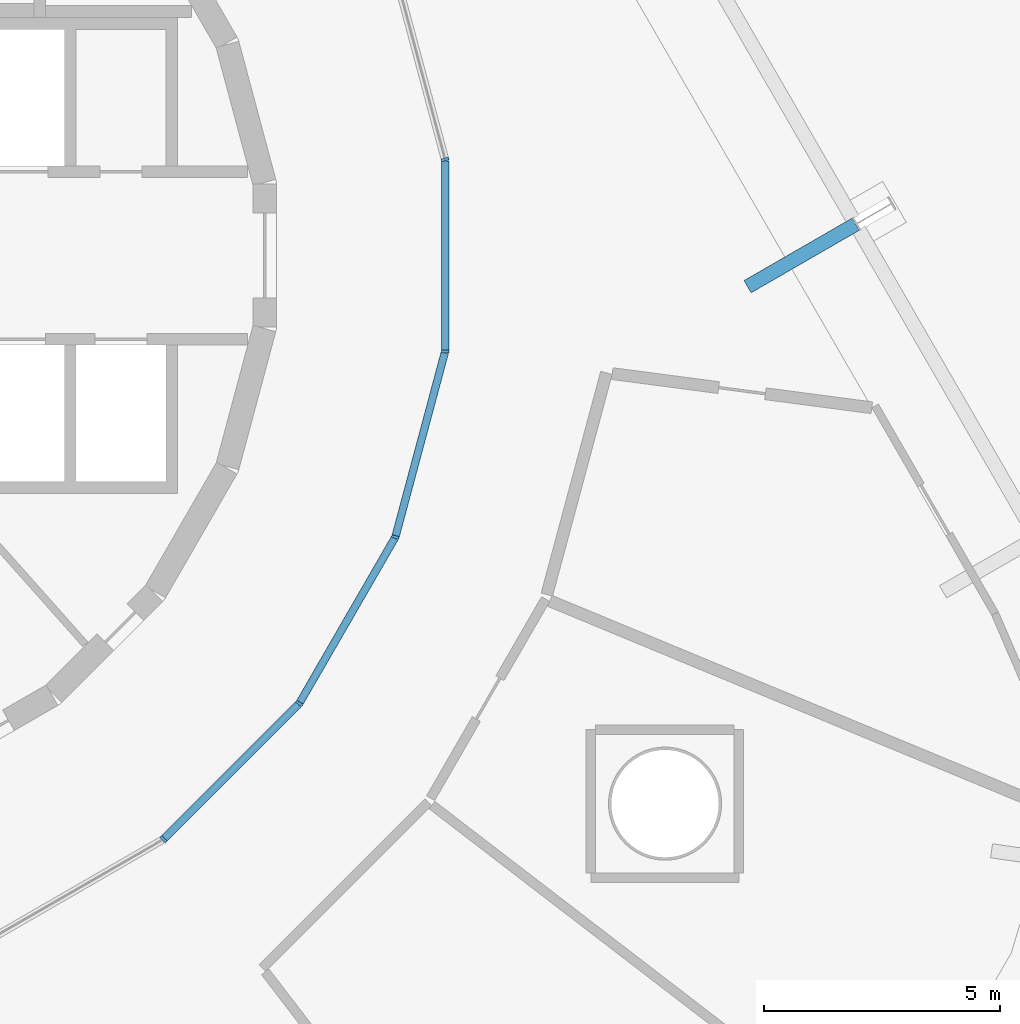
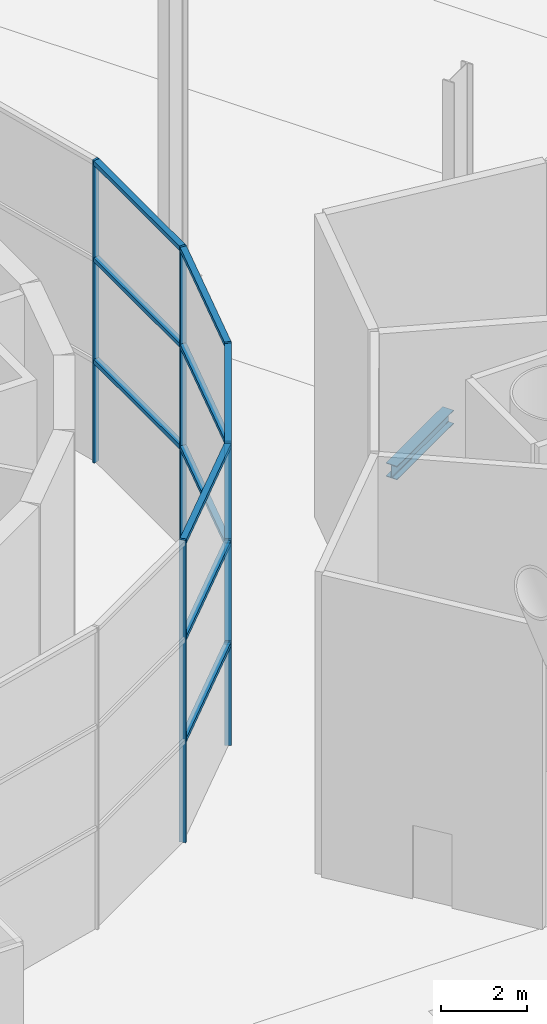
# One storey, part 7 of 21: 17 members, 1 beam, 5 elements without a shape of their own.
"""IFC4 building model written with IfcOpenShell, lengths in metres."""

from ifc_helpers import new_model, si_unit, direction, frame, origin, origin_2d, place, context, subcontext, project, spatial, rectangle, i_section, extrude, material, layer, layer_set, material_profile, profile_set, type_object, element, aggregate, save


model = new_model("IFC4")

# Units and contexts
model_context = context("Model", 3, precision=1e-05, world=origin(), true_north=direction((0.0, 1.0)))
body_context = subcontext(model_context, "Body", "Model", "MODEL_VIEW")
ifc_project = project(units=[si_unit("LENGTHUNIT", "METRE"), si_unit("AREAUNIT", "SQUARE_METRE"), si_unit("VOLUMEUNIT", "CUBIC_METRE"), si_unit("PLANEANGLEUNIT", "RADIAN"), si_unit("MASSUNIT", "GRAM", prefix="KILO")], contexts=[model_context])

# Site, building, storey
site_placement = place(None, origin())
site = spatial("IfcSite", under=ifc_project, at=site_placement, CompositionType="ELEMENT")
building_placement = place(site_placement, origin())
building = spatial("IfcBuilding", under=site, at=building_placement, Name="Spindle Arch Residences", CompositionType="ELEMENT")
storey_placement = place(building_placement, origin())
storey = spatial("IfcBuildingStorey", under=building, at=storey_placement, Name="L00", CompositionType="ELEMENT", Elevation=0.0)

# Curtain wall, member
ifc_material_1 = material(Name="Aluminium bronze unitised frame with tinted glass", Category="aluminium")
ifc_layer = layer(ifc_material_1, 0.159912109375)
ifc_layer_set = layer_set([ifc_layer], Name="CW-A arcade glazed lobby wall")
curtain_wall_type = type_object("IfcCurtainWallType", Name="CW-A arcade glazed lobby wall", PredefinedType="NOTDEFINED", material=ifc_layer_set)
curtain_wall_1_placement = place(storey_placement, origin())
curtain_wall_1 = element("IfcCurtainWall", 1, at=curtain_wall_1_placement, inside=storey, type_object=curtain_wall_type, Name="CW-A L00 CWA01", PredefinedType="NOTDEFINED")
ifc_material_2 = material(Name="Aluminium bronze anodised mullion", Category="aluminium")
ifc_material_profile_1 = material_profile(ifc_material_2, rectangle(XDim=0.159912109375, YDim=0.06005859375, at=origin_2d()), Name="MU 60x160")
ifc_profile_set_1 = profile_set([ifc_material_profile_1], Name="Aluminium bronze anodised mullion")
member_type_1 = type_object("IfcMemberType", Name="Bronze mullion 60x160", PredefinedType="MULLION", material=ifc_profile_set_1)
member_1_placement = place(storey_placement, frame((9.5029296875, -12.38427734375, 0.0), z_axis=(0.0, 0.0, 1.0), x_axis=(-0.707106781187, 0.707106781187, 0.0)))
member_1 = element("IfcMember", 2, at=member_1_placement, type_object=member_type_1, Name="CW-A mullion 1", PredefinedType="MULLION", context=body_context, shape_type="SweptSolid", body=[
    extrude(rectangle(XDim=0.159912109375, YDim=0.06005859375, at=origin_2d()), origin(), (0.0, 0.0, 1.0), 8.6201171875),
])

curtain_wall_2_placement = place(storey_placement, origin())
curtain_wall_2 = element("IfcCurtainWall", 3, at=curtain_wall_2_placement, inside=storey, type_object=curtain_wall_type, Name="CW-A L00 CWA02", PredefinedType="NOTDEFINED")
member_2_placement = place(storey_placement, frame((12.38427734375, -9.5029296875, 0.0), z_axis=(0.0, 0.0, 1.0), x_axis=(-0.866012300009, 0.500022695718, 0.0)))
member_2 = element("IfcMember", 4, at=member_2_placement, type_object=member_type_1, Name="CW-A mullion 1", PredefinedType="MULLION", context=body_context, shape_type="SweptSolid", body=[
    extrude(rectangle(XDim=0.159912109375, YDim=0.06005859375, at=origin_2d()), origin(), (0.0, 0.0, 1.0), 8.6201171875),
])

curtain_wall_3_placement = place(storey_placement, origin())
curtain_wall_3 = element("IfcCurtainWall", 5, at=curtain_wall_3_placement, inside=storey, type_object=curtain_wall_type, Name="CW-A L00 CWA03", PredefinedType="NOTDEFINED")
member_3_placement = place(storey_placement, frame((14.422119140625, -5.973876953125, 0.0), z_axis=(0.0, 0.0, 1.0), x_axis=(-0.965934589271, 0.258786338994, 0.0)))
member_3 = element("IfcMember", 6, at=member_3_placement, type_object=member_type_1, Name="CW-A mullion 1", PredefinedType="MULLION", context=body_context, shape_type="SweptSolid", body=[
    extrude(rectangle(XDim=0.159912109375, YDim=0.06005859375, at=origin_2d()), origin(), (0.0, 0.0, 1.0), 8.6201171875),
])

curtain_wall_4_placement = place(storey_placement, origin())
curtain_wall_4 = element("IfcCurtainWall", 7, at=curtain_wall_4_placement, inside=storey, type_object=curtain_wall_type, Name="CW-A L00 CWA04", PredefinedType="NOTDEFINED")
member_4_placement = place(storey_placement, frame((15.4765625, -2.037353515625, 0.0), z_axis=(0.0, 0.0, 1.0), x_axis=(-1.0, 0.0, 0.0)))
member_4 = element("IfcMember", 8, at=member_4_placement, type_object=member_type_1, Name="CW-A mullion 1", PredefinedType="MULLION", context=body_context, shape_type="SweptSolid", body=[
    extrude(rectangle(XDim=0.159912109375, YDim=0.06005859375, at=origin_2d()), origin(), (0.0, 0.0, 1.0), 8.6201171875),
])

curtain_wall_5_placement = place(storey_placement, origin())
curtain_wall_5 = element("IfcCurtainWall", 9, at=curtain_wall_5_placement, inside=storey, type_object=curtain_wall_type, Name="CW-A L00 CWA05", PredefinedType="NOTDEFINED")
member_5_placement = place(storey_placement, frame((15.4765625, 2.037353515625, 0.0), z_axis=(0.0, 0.0, 1.0), x_axis=(-0.965934589271, -0.258786338994, 0.0)))
member_5 = element("IfcMember", 10, at=member_5_placement, type_object=member_type_1, Name="CW-A mullion 1", PredefinedType="MULLION", context=body_context, shape_type="SweptSolid", body=[
    extrude(rectangle(XDim=0.159912109375, YDim=0.06005859375, at=origin_2d()), origin(), (0.0, 0.0, 1.0), 8.6201171875),
])
aggregate(curtain_wall_5, [member_5])

# Member
ifc_material_3 = material(Name="Aluminium bronze anodised transom", Category="aluminium")
ifc_material_profile_2 = material_profile(ifc_material_3, rectangle(XDim=0.159912109375, YDim=0.1201171875, at=origin_2d()), Name="TR 120x160")
ifc_profile_set_2 = profile_set([ifc_material_profile_2], Name="Aluminium bronze anodised transom")
member_type_2 = type_object("IfcMemberType", Name="Bronze transom 120x160", PredefinedType="USERDEFINED", material=ifc_profile_set_2)
member_6_placement = place(storey_placement, frame((9.524169921875, -12.363037109375, 2.89990234375), z_axis=(0.707106781187, 0.707106781187, 0.0), x_axis=(-0.707106781187, 0.707106781187, 0.0)))
member_6 = element("IfcMember", 11, at=member_6_placement, type_object=member_type_2, Name="CW-A transom 00.1", ObjectType="TRANSOM", PredefinedType="USERDEFINED", context=body_context, shape_type="SweptSolid", body=[
    extrude(rectangle(XDim=0.159912109375, YDim=0.1201171875, at=origin_2d()), origin(), (0.0, 0.0, 1.0), 4.0146484375),
])

member_7_placement = place(storey_placement, frame((9.524169921875, -12.363037109375, 5.800048828125), z_axis=(0.707106781187, 0.707106781187, 0.0), x_axis=(-0.707106781187, 0.707106781187, 0.0)))
member_7 = element("IfcMember", 12, at=member_7_placement, type_object=member_type_2, Name="CW-A transom 00.2", ObjectType="TRANSOM", PredefinedType="USERDEFINED", context=body_context, shape_type="SweptSolid", body=[
    extrude(rectangle(XDim=0.159912109375, YDim=0.1201171875, at=origin_2d()), origin(), (0.0, 0.0, 1.0), 4.0146484375),
])

member_8_placement = place(storey_placement, frame((9.524169921875, -12.363037109375, 8.56005859375), z_axis=(0.707106781187, 0.707106781187, 0.0), x_axis=(-0.707106781187, 0.707106781187, 0.0)))
member_8 = element("IfcMember", 13, at=member_8_placement, type_object=member_type_2, Name="CW-A transom 00.3", ObjectType="TRANSOM", PredefinedType="USERDEFINED", context=body_context, shape_type="SweptSolid", body=[
    extrude(rectangle(XDim=0.159912109375, YDim=0.1201171875, at=origin_2d()), origin(), (0.0, 0.0, 1.0), 4.0146484375),
])

aggregate(curtain_wall_1, [member_1, member_6, member_7, member_8])

member_9_placement = place(storey_placement, frame((12.3994140625, -9.476806640625, 2.89990234375), z_axis=(0.500017214385, 0.866015464827, 0.0), x_axis=(-0.866015464827, 0.500017214385, 0.0)))
member_9 = element("IfcMember", 14, at=member_9_placement, type_object=member_type_2, Name="CW-A transom 00.1", ObjectType="TRANSOM", PredefinedType="USERDEFINED", context=body_context, shape_type="SweptSolid", body=[
    extrude(rectangle(XDim=0.159912109375, YDim=0.1201171875, at=origin_2d()), origin(), (0.0, 0.0, 1.0), 4.014892578125),
])

member_10_placement = place(storey_placement, frame((12.3994140625, -9.476806640625, 5.800048828125), z_axis=(0.500017214385, 0.866015464827, 0.0), x_axis=(-0.866015464827, 0.500017214385, 0.0)))
member_10 = element("IfcMember", 15, at=member_10_placement, type_object=member_type_2, Name="CW-A transom 00.2", ObjectType="TRANSOM", PredefinedType="USERDEFINED", context=body_context, shape_type="SweptSolid", body=[
    extrude(rectangle(XDim=0.159912109375, YDim=0.1201171875, at=origin_2d()), origin(), (0.0, 0.0, 1.0), 4.014892578125),
])

member_11_placement = place(storey_placement, frame((12.3994140625, -9.476806640625, 8.56005859375), z_axis=(0.500017214385, 0.866015464827, 0.0), x_axis=(-0.866015464827, 0.500017214385, 0.0)))
member_11 = element("IfcMember", 16, at=member_11_placement, type_object=member_type_2, Name="CW-A transom 00.3", ObjectType="TRANSOM", PredefinedType="USERDEFINED", context=body_context, shape_type="SweptSolid", body=[
    extrude(rectangle(XDim=0.159912109375, YDim=0.1201171875, at=origin_2d()), origin(), (0.0, 0.0, 1.0), 4.014892578125),
])

aggregate(curtain_wall_2, [member_2, member_9, member_10, member_11])

member_12_placement = place(storey_placement, frame((14.4296875, -5.94482421875, 2.89990234375), z_axis=(0.258782687609, 0.965935567517, 0.0), x_axis=(-0.965935567517, 0.258782687609, 0.0)))
member_12 = element("IfcMember", 17, at=member_12_placement, type_object=member_type_2, Name="CW-A transom 00.1", ObjectType="TRANSOM", PredefinedType="USERDEFINED", context=body_context, shape_type="SweptSolid", body=[
    extrude(rectangle(XDim=0.159912109375, YDim=0.1201171875, at=origin_2d()), origin(), (0.0, 0.0, 1.0), 4.01513671875),
])

member_13_placement = place(storey_placement, frame((14.4296875, -5.94482421875, 5.800048828125), z_axis=(0.258782687609, 0.965935567517, 0.0), x_axis=(-0.965935567517, 0.258782687609, 0.0)))
member_13 = element("IfcMember", 18, at=member_13_placement, type_object=member_type_2, Name="CW-A transom 00.2", ObjectType="TRANSOM", PredefinedType="USERDEFINED", context=body_context, shape_type="SweptSolid", body=[
    extrude(rectangle(XDim=0.159912109375, YDim=0.1201171875, at=origin_2d()), origin(), (0.0, 0.0, 1.0), 4.01513671875),
])

member_14_placement = place(storey_placement, frame((14.4296875, -5.94482421875, 8.56005859375), z_axis=(0.258782687609, 0.965935567517, 0.0), x_axis=(-0.965935567517, 0.258782687609, 0.0)))
member_14 = element("IfcMember", 19, at=member_14_placement, type_object=member_type_2, Name="CW-A transom 00.3", ObjectType="TRANSOM", PredefinedType="USERDEFINED", context=body_context, shape_type="SweptSolid", body=[
    extrude(rectangle(XDim=0.159912109375, YDim=0.1201171875, at=origin_2d()), origin(), (0.0, 0.0, 1.0), 4.01513671875),
])

aggregate(curtain_wall_3, [member_3, member_12, member_13, member_14])

member_15_placement = place(storey_placement, frame((15.4765625, -2.00732421875, 2.89990234375), z_axis=(0.0, 1.0, 0.0), x_axis=(-1.0, 0.0, 0.0)))
member_15 = element("IfcMember", 20, at=member_15_placement, type_object=member_type_2, Name="CW-A transom 00.1", ObjectType="TRANSOM", PredefinedType="USERDEFINED", context=body_context, shape_type="SweptSolid", body=[
    extrude(rectangle(XDim=0.159912109375, YDim=0.1201171875, at=origin_2d()), origin(), (0.0, 0.0, 1.0), 4.0146484375),
])

member_16_placement = place(storey_placement, frame((15.4765625, -2.00732421875, 5.800048828125), z_axis=(0.0, 1.0, 0.0), x_axis=(-1.0, 0.0, 0.0)))
member_16 = element("IfcMember", 21, at=member_16_placement, type_object=member_type_2, Name="CW-A transom 00.2", ObjectType="TRANSOM", PredefinedType="USERDEFINED", context=body_context, shape_type="SweptSolid", body=[
    extrude(rectangle(XDim=0.159912109375, YDim=0.1201171875, at=origin_2d()), origin(), (0.0, 0.0, 1.0), 4.0146484375),
])

member_17_placement = place(storey_placement, frame((15.4765625, -2.00732421875, 8.56005859375), z_axis=(0.0, 1.0, 0.0), x_axis=(-1.0, 0.0, 0.0)))
member_17 = element("IfcMember", 22, at=member_17_placement, type_object=member_type_2, Name="CW-A transom 00.3", ObjectType="TRANSOM", PredefinedType="USERDEFINED", context=body_context, shape_type="SweptSolid", body=[
    extrude(rectangle(XDim=0.159912109375, YDim=0.1201171875, at=origin_2d()), origin(), (0.0, 0.0, 1.0), 4.0146484375),
])

aggregate(curtain_wall_4, [member_4, member_15, member_16, member_17])

# Beam
ifc_material_4 = material(Name="Steel S460ML, intumescent coating R 120", Category="steel")
ifc_material_profile_3 = material_profile(ifc_material_4, i_section(OverallWidth=0.300048828125, OverallDepth=0.389892578125, WebThickness=0.010986328125, FlangeThickness=0.01904296875, FilletRadius=0.027099609375, at=origin_2d()), Name="HEA 400")
ifc_profile_set_3 = profile_set([ifc_material_profile_3], Name="Steel S460ML, intumescent coating R 120")
beam_type = type_object("IfcBeamType", Name="Floor outrigger HEA 400", PredefinedType="BEAM", material=ifc_profile_set_3)
beam_placement = place(storey_placement, frame((24.18896484375, 0.6630859375, -0.89501953125), z_axis=(-0.866029095148, -0.499993606316, 0.0), x_axis=(0.499993606316, -0.866029095148, 0.0)))
element("IfcBeam", 23, at=beam_placement, inside=storey, type_object=beam_type, Name="Floor outrigger 7", PredefinedType="BEAM", context=body_context, shape_type="SweptSolid", body=[
    extrude(i_section(OverallWidth=0.300048828125, OverallDepth=0.389892578125, WebThickness=0.010986328125, FlangeThickness=0.01904296875, FilletRadius=0.027099609375, at=origin_2d()), origin(), (0.0, 0.0, 1.0), 2.64990234375),
])

save(model, "model.ifc")
